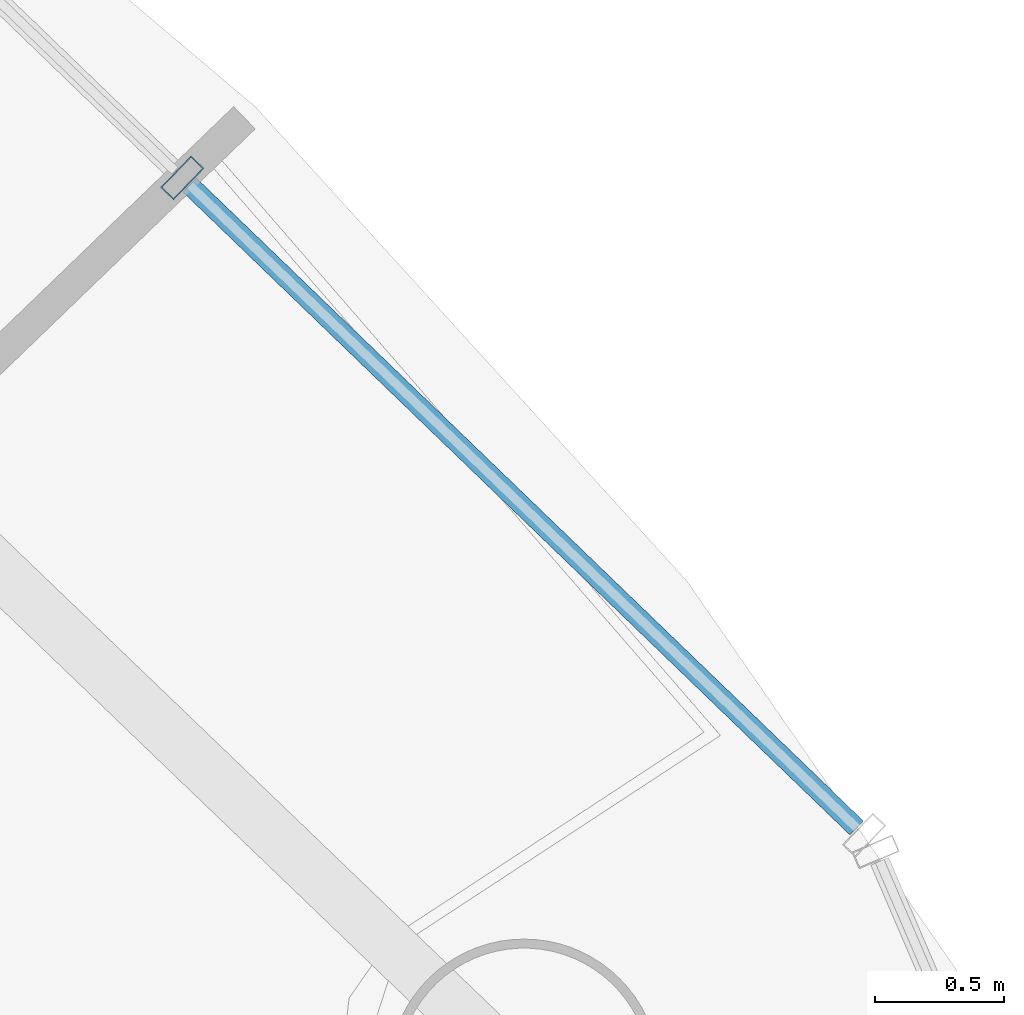
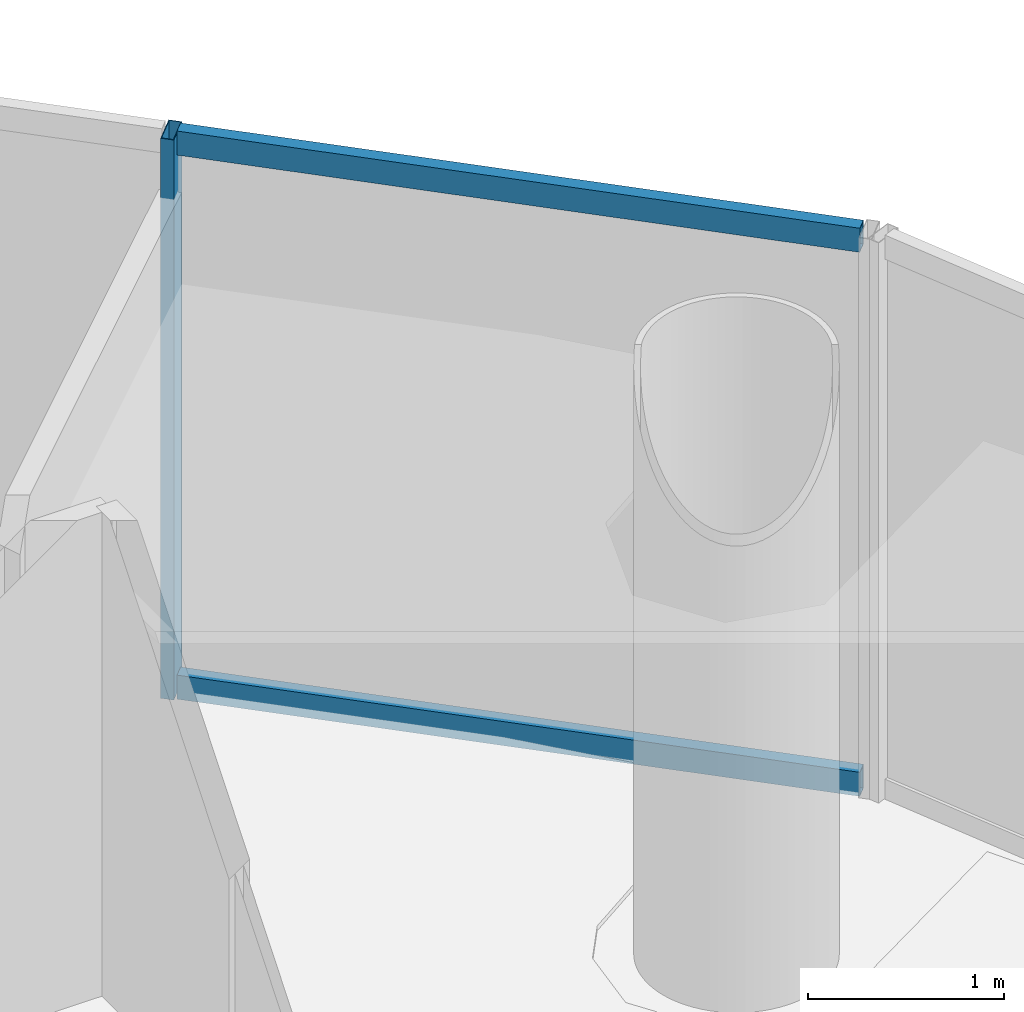
# One storey, part 12 of 23: 3 members, 1 element without a shape of its own.
"""IFC4 building model written with IfcOpenShell, lengths in metres."""

import ifcopenshell
import ifcopenshell.guid

model = None  # the IFC model being written
_history = None  # IfcOwnerHistory: only IFC2X3 demands one
_inside = {}  # id of a spatial element -> (the spatial element, [elements in it])
_under = {}  # id of a project, library or spatial element -> (it, [spatial elements below it])
_declared = {}  # id of a project -> (the project, [libraries it declares])
_typed = {}  # id of a type object -> (the type object, [elements of that type])
_made_of = {}  # id of a material, layer set ... -> (it, [elements and type objects made of it])


def new_model(schema):
    """Start an empty IFC model of exactly this schema.

    Asked for "IFC4X3", IfcOpenShell would pick the latest addendum, in which some entities
    have other attributes; the version numbers below select the first issue.
    IFC2X3 requires an IfcOwnerHistory on every rooted entity: one is made here for all.
    """
    global model, _history
    if schema == "IFC4X3":
        model = ifcopenshell.file(schema_version=(4, 3, 0, 0))
    else:
        model = ifcopenshell.file(schema=schema)
    _inside.clear()
    _under.clear()
    _declared.clear()
    _typed.clear()
    _made_of.clear()
    _history = None
    if model.schema == "IFC2X3":
        org = make("IfcOrganization", Name="unknown")
        user = make(
            "IfcPersonAndOrganization",
            ThePerson=make("IfcPerson", FamilyName="unknown"),
            TheOrganization=org,
        )
        app = make(
            "IfcApplication",
            ApplicationDeveloper=org,
            Version="unknown",
            ApplicationFullName="unknown",
            ApplicationIdentifier="unknown",
        )
        _history = make(
            "IfcOwnerHistory",
            OwningUser=user,
            OwningApplication=app,
            ChangeAction="ADDED",
            CreationDate=0,
        )
    return model


def make(cls, **values):
    """One entity of the class cls with the attributes given. An attribute that is None is left unset."""
    return model.create_entity(
        cls, **{name: value for name, value in values.items() if value is not None}
    )


def rooted(cls, **values):
    """An entity with a GlobalId (a new one), such as an element, a storey or a relation."""
    return make(cls, GlobalId=ifcopenshell.guid.new(), OwnerHistory=_history, **values)


def si_unit(unit_type, name, prefix=None):
    """IfcSIUnit, for example si_unit("LENGTHUNIT", "METRE", prefix="MILLI")."""
    return make("IfcSIUnit", UnitType=unit_type, Prefix=prefix, Name=name)


def assignment(units):
    """IfcUnitAssignment: the units of a project."""
    return None if units is None else make("IfcUnitAssignment", Units=units)


def point(xyz):
    """IfcCartesianPoint."""
    return None if xyz is None else make("IfcCartesianPoint", Coordinates=xyz)


def direction(xyz):
    """IfcDirection."""
    return None if xyz is None else make("IfcDirection", DirectionRatios=xyz)


def frame(location, z_axis=None, x_axis=None):
    """IfcAxis2Placement3D, a coordinate frame: its origin and axes. An axis left out is left unset."""
    return make(
        "IfcAxis2Placement3D",
        Location=point(location),
        Axis=direction(z_axis),
        RefDirection=direction(x_axis),
    )


def frame_2d(location, x_axis=None):
    """IfcAxis2Placement2D, a coordinate frame in the plane: its origin and x axis."""
    return make(
        "IfcAxis2Placement2D", Location=point(location), RefDirection=direction(x_axis)
    )


def origin():
    """The frame at (0, 0, 0) with its axes left unset."""
    return frame((0.0, 0.0, 0.0))


def origin_2d():
    """The frame at (0, 0) in the plane with its x axis left unset."""
    return frame_2d((0.0, 0.0))


def place(relative_to, where):
    """IfcLocalPlacement: puts the frame where relative to a parent placement (None: the world)."""
    return make(
        "IfcLocalPlacement", PlacementRelTo=relative_to, RelativePlacement=where
    )


def context(
    kind, dimensions, precision=None, world=None, true_north=None, identifier=None
):
    """IfcGeometricRepresentationContext, for example the 3D "Model" context."""
    return make(
        "IfcGeometricRepresentationContext",
        ContextIdentifier=identifier,
        ContextType=kind,
        CoordinateSpaceDimension=dimensions,
        Precision=precision,
        WorldCoordinateSystem=world,
        TrueNorth=true_north,
    )


def subcontext(parent, identifier, kind, view, scale=None):
    """IfcGeometricRepresentationSubContext, for example "Body" below "Model"."""
    return make(
        "IfcGeometricRepresentationSubContext",
        ContextIdentifier=identifier,
        ContextType=kind,
        ParentContext=parent,
        TargetScale=scale,
        TargetView=view,
    )


def project(units=None, contexts=None):
    """IfcProject with its units and contexts."""
    return rooted(
        "IfcProject",
        Name="project",
        RepresentationContexts=contexts,
        UnitsInContext=assignment(units),
    )


def spatial(cls, under=None, at=None, **own):
    """A site, building, storey or space (cls), placed at a placement, below another one or the project."""
    s = rooted(cls, ObjectPlacement=at, **own)
    if under is not None:
        _under.setdefault(under.id(), (under, []))[1].append(s)
    return s


def profile(cls, at=None, kind="AREA", **sizes):
    """A parametric profile (cls). Its sizes go by their IFC names, for example OverallWidth=200.0."""
    return make(cls, ProfileType=kind, Position=at, **sizes)


def hollow_rectangle(**sizes):
    """IfcRectangleHollowProfileDef."""
    return profile("IfcRectangleHollowProfileDef", **sizes)


def extrude(swept, where, along, depth):
    """IfcExtrudedAreaSolid: the profile swept, set in the frame where, extruded along a direction by depth."""
    return make(
        "IfcExtrudedAreaSolid",
        SweptArea=swept,
        Position=where,
        ExtrudedDirection=direction(along),
        Depth=depth,
    )


def shape(context_of_items, identifier, shape_type, items):
    """IfcShapeRepresentation: the items that make up one representation, for example the "Body"."""
    return make(
        "IfcShapeRepresentation",
        ContextOfItems=context_of_items,
        RepresentationIdentifier=identifier,
        RepresentationType=shape_type,
        Items=items,
    )


def source(mapping_origin, context_of_items, identifier, shape_type, items):
    """IfcRepresentationMap: a shape defined once, which mapped items show again and again."""
    return make(
        "IfcRepresentationMap",
        MappingOrigin=mapping_origin,
        MappedRepresentation=shape(context_of_items, identifier, shape_type, items),
    )


def transform(
    local_origin,
    x_axis=None,
    y_axis=None,
    z_axis=None,
    scale=None,
    scale2=None,
    scale3=None,
    uniform=True,
):
    """IfcCartesianTransformationOperator3D, or its non-uniform kind. x_axis, y_axis, z_axis: its Axis1, 2, 3."""
    if uniform:
        return make(
            "IfcCartesianTransformationOperator3D",
            Axis1=direction(x_axis),
            Axis2=direction(y_axis),
            LocalOrigin=point(local_origin),
            Scale=scale,
            Axis3=direction(z_axis),
        )
    return make(
        "IfcCartesianTransformationOperator3DnonUniform",
        Axis1=direction(x_axis),
        Axis2=direction(y_axis),
        LocalOrigin=point(local_origin),
        Scale=scale,
        Axis3=direction(z_axis),
        Scale2=scale2,
        Scale3=scale3,
    )


def mapped(mapping_source, mapping_target):
    """IfcMappedItem: shows the shape of a source again, moved by a transform."""
    return make(
        "IfcMappedItem", MappingSource=mapping_source, MappingTarget=mapping_target
    )


def material(Name=None, Category=None):
    """IfcMaterial."""
    return make("IfcMaterial", Name=Name, Category=Category)


def material_profile(
    of_material, cross_section, Name=None, Category=None, Priority=None
):
    """IfcMaterialProfile: a cross section and its material."""
    return make(
        "IfcMaterialProfile",
        Name=Name,
        Material=of_material,
        Profile=cross_section,
        Priority=Priority,
        Category=Category,
    )


def profile_set(profiles, Name=None, composite=None):
    """IfcMaterialProfileSet."""
    return make(
        "IfcMaterialProfileSet",
        Name=Name,
        MaterialProfiles=profiles,
        CompositeProfile=composite,
    )


def made_of(thing, what):
    """Note that an element or type object is made of a material, layer set ...; save() writes the relation."""
    if what is not None:
        _made_of.setdefault(what.id(), (what, []))[1].append(thing)
    return thing


def type_object(cls, material=None, **own):
    """A type object (cls), such as IfcWallType, which elements share."""
    return made_of(rooted(cls, **own), material)


def element(
    cls,
    number,
    at=None,
    inside=None,
    cuts=None,
    type_object=None,
    material=None,
    context=None,
    identifier="Body",
    shape_type=None,
    held_by="IfcProductDefinitionShape",
    body=None,
    shapes=None,
    **own,
):
    """One element of the class cls, such as IfcWall. Its Tag is "e" and its number.

    at: its placement. inside: the storey or other place that contains it. cuts: it is an
    opening in that element (IfcRelVoidsElement). A single representation is given by context,
    identifier, shape_type and body (its items); several are given by shapes. held_by: the class
    of the entity that holds the representations. save() writes the other relations.
    """
    e = rooted(cls, Tag="e%d" % number, ObjectPlacement=at, **own)
    if body is not None:
        shapes = [shape(context, identifier, shape_type, body)]
    if shapes is not None:
        e.Representation = make(held_by, Representations=shapes)
    if inside is not None:
        _inside.setdefault(inside.id(), (inside, []))[1].append(e)
    if cuts is not None:
        rooted(
            "IfcRelVoidsElement", RelatingBuildingElement=cuts, RelatedOpeningElement=e
        )
    if type_object is not None:
        _typed.setdefault(type_object.id(), (type_object, []))[1].append(e)
    return made_of(e, material)


def aggregate(whole, parts):
    """IfcRelAggregates: a whole, such as a stair, and the parts it consists of."""
    return rooted("IfcRelAggregates", RelatingObject=whole, RelatedObjects=parts)


def save(model, path):
    """Write the relations noted so far, then the file.

    IfcRelAggregates (storeys below a building ...), IfcRelContainedInSpatialStructure (elements
    in a storey), IfcRelDefinesByType, IfcRelAssociatesMaterial and IfcRelDeclares: one each for
    every whole, place, type object, material and project.
    """
    for whole, parts in _under.values():
        aggregate(whole, parts)
    for where, things in _inside.values():
        rooted(
            "IfcRelContainedInSpatialStructure",
            RelatedElements=things,
            RelatingStructure=where,
        )
    for kind, things in _typed.values():
        rooted("IfcRelDefinesByType", RelatedObjects=things, RelatingType=kind)
    for what, things in _made_of.values():
        rooted("IfcRelAssociatesMaterial", RelatedObjects=things, RelatingMaterial=what)
    for by, libraries in _declared.values():
        rooted("IfcRelDeclares", RelatingContext=by, RelatedDefinitions=libraries)
    model.write(path)


model = new_model("IFC4")

# Units and contexts
model_context = context("Model", 3, precision=1e-05, world=origin(), true_north=direction((-0.2419218956, 0.970295726276)))
body_context = subcontext(model_context, "Body", "Model", "MODEL_VIEW")
ifc_project = project(units=[si_unit("LENGTHUNIT", "METRE"), si_unit("AREAUNIT", "SQUARE_METRE"), si_unit("VOLUMEUNIT", "CUBIC_METRE"), si_unit("PLANEANGLEUNIT", "RADIAN"), si_unit("MASSUNIT", "GRAM", prefix="KILO")], contexts=[model_context])

# Site, building, storey
site_placement = place(None, origin())
site = spatial("IfcSite", under=ifc_project, at=site_placement, CompositionType="ELEMENT")
building_placement = place(site_placement, origin())
building = spatial("IfcBuilding", under=site, at=building_placement, Name="Cobrevalo Terracotta Tower", CompositionType="ELEMENT")
storey_placement = place(building_placement, frame((0.0, 0.0, 266.949951171875)))
storey = spatial("IfcBuildingStorey", under=building, at=storey_placement, Name="L70", CompositionType="ELEMENT", Elevation=266.949951171875)

# Curtain wall, members
ifc_material = material(Name="Anodized aluminium", Category="aluminium")
curtain_wall_type = type_object("IfcCurtainWallType", Name="Upper-tower triple-glazed penthouse curtain wall CW-U3", PredefinedType="NOTDEFINED", material=ifc_material)
curtain_wall_placement = place(storey_placement, origin())
curtain_wall = element("IfcCurtainWall", 1, at=curtain_wall_placement, inside=storey, type_object=curtain_wall_type, Name="L70 curtain wall CW-L70-S02", PredefinedType="NOTDEFINED")
ifc_material_profile_1 = material_profile(ifc_material, hollow_rectangle(XDim=0.070068359375, YDim=0.169921875, WallThickness=0.00439453125, at=origin_2d()), Name="CWM 70x170")
ifc_profile_set_1 = profile_set([ifc_material_profile_1], Name="Anodized aluminium")
member_type_1 = type_object("IfcMemberType", Name="Upper tower unitised mullion 70x170", PredefinedType="MULLION", material=ifc_profile_set_1)
shared_shape_1 = source(origin(), body_context, "Body", "SweptSolid", [
    extrude(hollow_rectangle(XDim=0.070068359375, YDim=0.169921875, WallThickness=0.00439453125, at=origin_2d()), origin(), (0.0, 0.0, 1.0), 3.489990234375),
])
member_1_placement = place(storey_placement, frame((51.43359375, 39.748046875, 0.0), z_axis=(0.0, 0.0, 1.0), x_axis=(-0.71999418085, 0.69398010025, 0.0)))
member_1 = element("IfcMember", 2, at=member_1_placement, type_object=member_type_1, Name="CW-L70-S02 vertical mullion 02", PredefinedType="MULLION", context=body_context, shape_type="MappedRepresentation", body=[
    mapped(shared_shape_1, transform((0.0, 0.0, 0.0), scale=1.0)),
])
ifc_material_profile_2 = material_profile(ifc_material, hollow_rectangle(XDim=0.074951171875, YDim=0.14990234375, WallThickness=0.00439453125, at=origin_2d()), Name="CWT 75x150")
ifc_profile_set_2 = profile_set([ifc_material_profile_2], Name="Anodized aluminium")
member_type_2 = type_object("IfcMemberType", Name="Tower unitised aluminium transom 75x150", PredefinedType="USERDEFINED", material=ifc_profile_set_2)
shared_shape_2 = source(origin(), body_context, "Body", "SweptSolid", [
    extrude(hollow_rectangle(XDim=0.074951171875, YDim=0.14990234375, WallThickness=0.00439453125, at=origin_2d()), origin(), (0.0, 0.0, 1.0), 3.59130859375),
])
member_2_placement = place(storey_placement, frame((54.0478515625, 37.22802734375, 0.050048828125), z_axis=(-0.720005628362, 0.693968223427, 0.0), x_axis=(-0.693968223427, -0.720005628362, 0.0)))
member_2 = element("IfcMember", 3, at=member_2_placement, type_object=member_type_2, Name="CW-L70-S02 transom B01-T1", ObjectType="TRANSOM", PredefinedType="USERDEFINED", context=body_context, shape_type="MappedRepresentation", body=[
    mapped(shared_shape_2, transform((0.0, 0.0, 0.0), scale=1.0)),
])
member_3_placement = place(storey_placement, frame((54.0478515625, 37.22802734375, 3.43994140625), z_axis=(-0.720005628362, 0.693968223427, 0.0), x_axis=(-0.693968223427, -0.720005628362, 0.0)))
member_3 = element("IfcMember", 4, at=member_3_placement, type_object=member_type_2, Name="CW-L70-S02 transom B01-T2", ObjectType="TRANSOM", PredefinedType="USERDEFINED", context=body_context, shape_type="MappedRepresentation", body=[
    mapped(shared_shape_2, transform((0.0, 0.0, 0.0), scale=1.0)),
])
aggregate(curtain_wall, [member_1, member_2, member_3])

save(model, "model.ifc")
